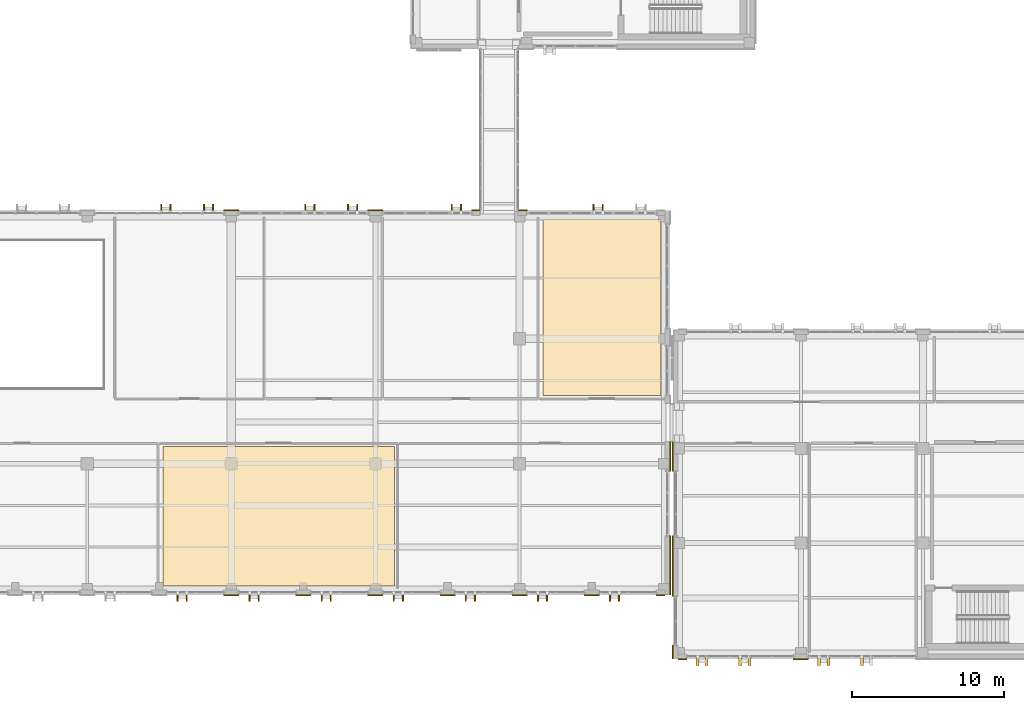
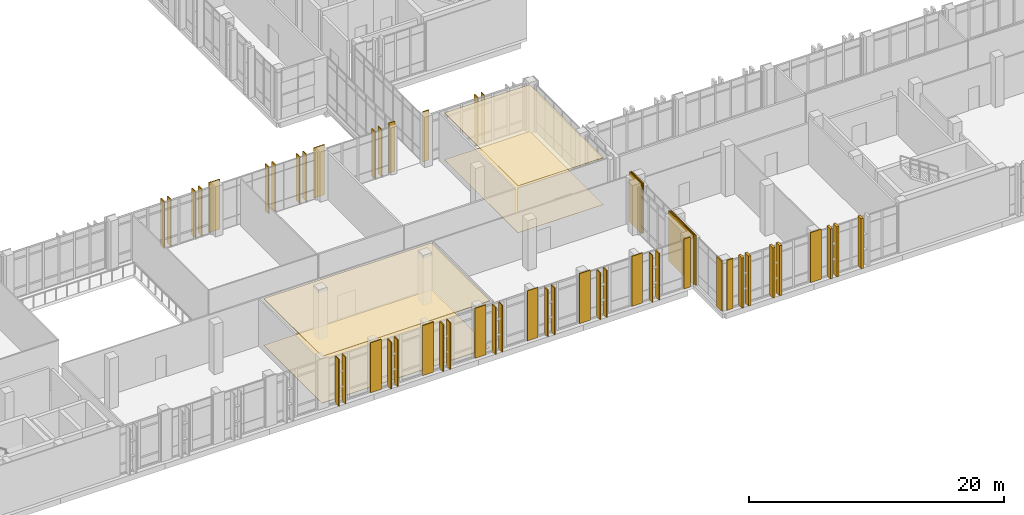
# One storey, part 174 of 189: 29 coverings, 26 shading devices.
"""IFC4 building model written with IfcOpenShell, lengths in metres."""

from ifc_helpers import new_model, si_unit, direction, frame, origin, origin_2d, place, context, subcontext, project, spatial, polyline, rectangle, outline, extrude, material, layer, layer_set, type_object, element, save


model = new_model("IFC4")

# Units and contexts
model_context = context("Model", 3, precision=1e-05, world=origin(), true_north=direction((0.0, 1.0)))
body_context = subcontext(model_context, "Body", "Model", "MODEL_VIEW")
ifc_project = project(units=[si_unit("LENGTHUNIT", "METRE"), si_unit("AREAUNIT", "SQUARE_METRE"), si_unit("VOLUMEUNIT", "CUBIC_METRE"), si_unit("PLANEANGLEUNIT", "RADIAN"), si_unit("MASSUNIT", "GRAM", prefix="KILO")], contexts=[model_context])

# Site, building, storey
site_placement = place(None, origin())
site = spatial("IfcSite", under=ifc_project, at=site_placement, CompositionType="ELEMENT")
building_placement = place(site_placement, origin())
building = spatial("IfcBuilding", under=site, at=building_placement, Name="Qalavern Law Courts", CompositionType="ELEMENT")
storey_placement = place(building_placement, frame((0.0, 0.0, 5.39990234375)))
storey = spatial("IfcBuildingStorey", under=building, at=storey_placement, Name="L01", CompositionType="ELEMENT", Elevation=5.39990234375)

# Coverings
ifc_material_1 = material(Name="Precast concrete C40/50", Category="concrete")
ifc_layer_1 = layer(ifc_material_1, 0.199951171875)
ifc_layer_set_1 = layer_set([ifc_layer_1], Name="Precast concrete C40/50")
covering_type_1 = type_object("IfcCoveringType", Name="ENV-BLD-1", PredefinedType="CLADDING", material=ifc_layer_set_1)
for number, where, z_axis, x_axis, name in (
    (1, (103.02001953125, 0.8525390625, 0.005126953125), (0.0, 0.0, 1.0), (0.0, -1.0, 0.0), "Absheron stone facade blade 1195"),
    (2, (103.6201171875, 0.8525390625, 0.005126953125), (0.0, 0.0, 1.0), (0.0, -1.0, 0.0), "Absheron stone facade blade 1196"),
    (3, (105.820068359375, 0.8525390625, 0.005126953125), (0.0, 0.0, 1.0), (0.0, -1.0, 0.0), "Absheron stone facade blade 1197"),
    (4, (106.419921875, 0.8525390625, 0.005126953125), (0.0, 0.0, 1.0), (0.0, -1.0, 0.0), "Absheron stone facade blade 1198"),
    (5, (111.0, 0.8525390625, 0.005126953125), (0.0, 0.0, 1.0), (0.0, -1.0, 0.0), "Absheron stone facade blade 1199"),
    (6, (111.60009765625, 0.8525390625, 0.005126953125), (0.0, 0.0, 1.0), (0.0, -1.0, 0.0), "Absheron stone facade blade 1200"),
    (7, (113.800048828125, 0.8525390625, 0.005126953125), (0.0, 0.0, 1.0), (0.0, -1.0, 0.0), "Absheron stone facade blade 1201"),
):
    element("IfcCovering", number, at=place(storey_placement, frame(where, z_axis=z_axis, x_axis=x_axis)), inside=storey, type_object=covering_type_1, Name=name, PredefinedType="CLADDING", context=body_context, shape_type="SweptSolid", body=[
        extrude(rectangle(XDim=0.5400390625, YDim=0.199951171875, at=origin_2d()), origin(), (0.0, 0.0, 1.0), 4.7900390625),
    ])
ifc_layer_2 = layer(ifc_material_1, 0.072021484375)
ifc_layer_set_2 = layer_set([ifc_layer_2], Name="Precast concrete C40/50")
covering_type_2 = type_object("IfcCoveringType", Name="ENV-CLD-2", PredefinedType="CLADDING", material=ifc_layer_set_2)
for number, where, z_axis, x_axis, name in (
    (8, (72.43701171875, 5.1669921875, 0.01025390625), (0.0, 0.0, 1.0), (1.0, 0.0, 0.0), "V2 Absheron limestone pier facing L01 south 6"),
    (9, (77.1640625, 5.1669921875, 0.01025390625), (0.0, 0.0, 1.0), (1.0, 0.0, 0.0), "V2 Absheron limestone pier facing L01 south 7"),
    (10, (81.891357421875, 5.1669921875, 0.01025390625), (0.0, 0.0, 1.0), (1.0, 0.0, 0.0), "V2 Absheron limestone pier facing L01 south 8"),
    (11, (86.618896484375, 5.1669921875, 0.01025390625), (0.0, 0.0, 1.0), (1.0, 0.0, 0.0), "V2 Absheron limestone pier facing L01 south 9"),
    (12, (91.345703125, 5.1669921875, 0.01025390625), (0.0, 0.0, 1.0), (1.0, 0.0, 0.0), "V2 Absheron limestone pier facing L01 south 10"),
    (13, (96.072998046875, 5.1669921875, 0.01025390625), (0.0, 0.0, 1.0), (1.0, 0.0, 0.0), "V2 Absheron limestone pier facing L01 south 11"),
):
    element("IfcCovering", number, at=place(storey_placement, frame(where, z_axis=z_axis, x_axis=x_axis)), inside=storey, type_object=covering_type_2, Name=name, PredefinedType="CLADDING", context=body_context, shape_type="SweptSolid", body=[
        extrude(rectangle(XDim=0.97998046875, YDim=0.072021484375, at=origin_2d()), origin(), (0.0, 0.0, 1.0), 4.780029296875),
    ])
covering_1_placement = place(storey_placement, frame((100.590087890625, 5.1669921875, 0.01025390625), z_axis=(0.0, 0.0, 1.0), x_axis=(1.0, 0.0, 0.0)))
element("IfcCovering", 14, at=covering_1_placement, inside=storey, type_object=covering_type_2, Name="V2 Absheron limestone pier facing L01 south 12", PredefinedType="CLADDING", context=body_context, shape_type="SweptSolid", body=[
    extrude(rectangle(XDim=0.56005859375, YDim=0.072021484375, at=origin_2d()), origin(), (0.0, 0.0, 1.0), 4.780029296875),
])
covering_2_placement = place(storey_placement, frame((101.23291015625, 7.14990234375, 0.01025390625), z_axis=(0.0, 0.0, 1.0), x_axis=(0.0, 1.0, 0.0)))
element("IfcCovering", 15, at=covering_2_placement, inside=storey, type_object=covering_type_2, Name="V2 Absheron limestone pier facing L01 east 1", PredefinedType="CLADDING", context=body_context, shape_type="SweptSolid", body=[
    extrude(rectangle(XDim=3.8798828125, YDim=0.072021484375, at=origin_2d()), origin(), (0.0, 0.0, 1.0), 4.780029296875),
])
covering_3_placement = place(storey_placement, frame((101.23291015625, 14.27490234375, 0.01025390625), z_axis=(0.0, 0.0, 1.0), x_axis=(0.0, 1.0, 0.0)))
element("IfcCovering", 16, at=covering_3_placement, inside=storey, type_object=covering_type_2, Name="V2 Absheron limestone pier facing L01 east 2", PredefinedType="CLADDING", context=body_context, shape_type="SweptSolid", body=[
    extrude(rectangle(XDim=1.929931640625, YDim=0.072021484375, at=origin_2d()), origin(), (0.0, 0.0, 1.0), 4.780029296875),
])
covering_4_placement = place(storey_placement, frame((91.5478515625, 30.43310546875, 0.01025390625), z_axis=(0.0, 0.0, 1.0), x_axis=(-1.0, 0.0, 0.0)))
element("IfcCovering", 17, at=covering_4_placement, inside=storey, type_object=covering_type_2, Name="V2 Absheron limestone pier facing L01 north 2", PredefinedType="CLADDING", context=body_context, shape_type="SweptSolid", body=[
    extrude(rectangle(XDim=0.57568359375, YDim=0.072021484375, at=origin_2d()), origin(), (0.0, 0.0, 1.0), 4.780029296875),
])
covering_5_placement = place(storey_placement, frame((88.47509765625, 30.43310546875, 0.01025390625), z_axis=(0.0, 0.0, 1.0), x_axis=(-1.0, 0.0, 0.0)))
element("IfcCovering", 18, at=covering_5_placement, inside=storey, type_object=covering_type_2, Name="V2 Absheron limestone pier facing L01 north 1", PredefinedType="CLADDING", context=body_context, shape_type="SweptSolid", body=[
    extrude(rectangle(XDim=0.530029296875, YDim=0.072021484375, at=origin_2d()), origin(), (0.0, 0.0, 1.0), 4.780029296875),
])
for number, where, z_axis, x_axis, name in (
    (19, (81.891357421875, 30.43310546875, 0.01025390625), (0.0, 0.0, 1.0), (-1.0, 0.0, 0.0), "V2 Absheron limestone pier facing L01 north 2"),
    (20, (72.43701171875, 30.43310546875, 0.01025390625), (0.0, 0.0, 1.0), (-1.0, 0.0, 0.0), "V2 Absheron limestone pier facing L01 north 3"),
):
    element("IfcCovering", number, at=place(storey_placement, frame(where, z_axis=z_axis, x_axis=x_axis)), inside=storey, type_object=covering_type_2, Name=name, PredefinedType="CLADDING", context=body_context, shape_type="SweptSolid", body=[
        extrude(rectangle(XDim=0.97998046875, YDim=0.072021484375, at=origin_2d()), origin(), (0.0, 0.0, 1.0), 4.780029296875),
    ])
covering_6_placement = place(storey_placement, frame((102.030029296875, 0.967041015625, 0.01025390625), z_axis=(0.0, 0.0, 1.0), x_axis=(1.0, 0.0, 0.0)))
element("IfcCovering", 21, at=covering_6_placement, inside=storey, type_object=covering_type_2, Name="V6 Absheron limestone pier facing L01 south 1", PredefinedType="CLADDING", context=body_context, shape_type="SweptSolid", body=[
    extrude(rectangle(XDim=0.56005859375, YDim=0.072021484375, at=origin_2d()), origin(), (0.0, 0.0, 1.0), 4.780029296875),
])
covering_7_placement = place(storey_placement, frame((109.800048828125, 0.967041015625, 0.01025390625), z_axis=(0.0, 0.0, 1.0), x_axis=(1.0, 0.0, 0.0)))
element("IfcCovering", 22, at=covering_7_placement, inside=storey, type_object=covering_type_2, Name="V6 Absheron limestone pier facing L01 south 2", PredefinedType="CLADDING", context=body_context, shape_type="SweptSolid", body=[
    extrude(rectangle(XDim=0.97998046875, YDim=0.072021484375, at=origin_2d()), origin(), (0.0, 0.0, 1.0), 4.780029296875),
])
covering_8_placement = place(storey_placement, frame((101.386962890625, 14.27490234375, 0.01025390625), z_axis=(0.0, 0.0, 1.0), x_axis=(0.0, -1.0, 0.0)))
element("IfcCovering", 23, at=covering_8_placement, inside=storey, type_object=covering_type_2, Name="V6 Absheron limestone pier facing L01 west 1", PredefinedType="CLADDING", context=body_context, shape_type="SweptSolid", body=[
    extrude(rectangle(XDim=1.929931640625, YDim=0.072021484375, at=origin_2d()), origin(), (0.0, 0.0, 1.0), 4.780029296875),
])
covering_9_placement = place(storey_placement, frame((101.386962890625, 7.10009765625, 0.01025390625), z_axis=(0.0, 0.0, 1.0), x_axis=(0.0, -1.0, 0.0)))
element("IfcCovering", 24, at=covering_9_placement, inside=storey, type_object=covering_type_2, Name="V6 Absheron limestone pier facing L01 west 2", PredefinedType="CLADDING", context=body_context, shape_type="SweptSolid", body=[
    extrude(rectangle(XDim=3.97998046875, YDim=0.072021484375, at=origin_2d()), origin(), (0.0, 0.0, 1.0), 4.780029296875),
])
covering_10_placement = place(storey_placement, frame((101.386962890625, 1.449951171875, 0.01025390625), z_axis=(0.0, 0.0, 1.0), x_axis=(0.0, -1.0, 0.0)))
element("IfcCovering", 25, at=covering_10_placement, inside=storey, type_object=covering_type_2, Name="V6 Absheron limestone pier facing L01 west 3", PredefinedType="CLADDING", context=body_context, shape_type="SweptSolid", body=[
    extrude(rectangle(XDim=0.8798828125, YDim=0.072021484375, at=origin_2d()), origin(), (0.0, 0.0, 1.0), 4.780029296875),
])

# Shading devices
shading_device_type = type_object("IfcShadingDeviceType", Name="ENV-FIN-1", PredefinedType="USERDEFINED", material=ifc_material_1)
for number, where, z_axis, x_axis, name in (
    (26, (68.909912109375, 5.052490234375, 0.01025390625), (0.0, 0.0, 1.0), (0.0, -1.0, 0.0), "Hall solar shading fin 0009"),
    (27, (69.510009765625, 5.052490234375, 0.01025390625), (0.0, 0.0, 1.0), (0.0, -1.0, 0.0), "Hall solar shading fin 0010"),
    (28, (73.63720703125, 5.052490234375, 0.01025390625), (0.0, 0.0, 1.0), (0.0, -1.0, 0.0), "Hall solar shading fin 0011"),
    (29, (74.237060546875, 5.052490234375, 0.01025390625), (0.0, 0.0, 1.0), (0.0, -1.0, 0.0), "Hall solar shading fin 0012"),
    (30, (78.364013671875, 5.052490234375, 0.01025390625), (0.0, 0.0, 1.0), (0.0, -1.0, 0.0), "Hall solar shading fin 0013"),
    (31, (78.964111328125, 5.052490234375, 0.01025390625), (0.0, 0.0, 1.0), (0.0, -1.0, 0.0), "Hall solar shading fin 0014"),
    (32, (83.09130859375, 5.052490234375, 0.01025390625), (0.0, 0.0, 1.0), (0.0, -1.0, 0.0), "Hall solar shading fin 0015"),
    (33, (83.69140625, 5.052490234375, 0.01025390625), (0.0, 0.0, 1.0), (0.0, -1.0, 0.0), "Hall solar shading fin 0016"),
    (34, (87.819091796875, 5.052490234375, 0.01025390625), (0.0, 0.0, 1.0), (0.0, -1.0, 0.0), "Hall solar shading fin 0017"),
    (35, (88.4189453125, 5.052490234375, 0.01025390625), (0.0, 0.0, 1.0), (0.0, -1.0, 0.0), "Hall solar shading fin 0018"),
    (36, (92.545654296875, 5.052490234375, 0.01025390625), (0.0, 0.0, 1.0), (0.0, -1.0, 0.0), "Hall solar shading fin 0019"),
    (37, (93.145751953125, 5.052490234375, 0.01025390625), (0.0, 0.0, 1.0), (0.0, -1.0, 0.0), "Hall solar shading fin 0020"),
    (38, (97.27294921875, 5.052490234375, 0.01025390625), (0.0, 0.0, 1.0), (0.0, -1.0, 0.0), "Hall solar shading fin 0021"),
    (39, (97.873046875, 5.052490234375, 0.01025390625), (0.0, 0.0, 1.0), (0.0, -1.0, 0.0), "Hall solar shading fin 0022"),
    (40, (96.800048828125, 30.547607421875, 0.01025390625), (0.0, 0.0, 1.0), (0.0, 1.0, 0.0), "Hall solar shading fin 0025"),
    (41, (96.199951171875, 30.547607421875, 0.01025390625), (0.0, 0.0, 1.0), (0.0, 1.0, 0.0), "Hall solar shading fin 0026"),
    (42, (87.5, 30.547607421875, 0.01025390625), (0.0, 0.0, 1.0), (0.0, 1.0, 0.0), "Hall solar shading fin 0027"),
    (43, (86.89990234375, 30.547607421875, 0.01025390625), (0.0, 0.0, 1.0), (0.0, 1.0, 0.0), "Hall solar shading fin 0028"),
    (44, (80.69140625, 30.547607421875, 0.01025390625), (0.0, 0.0, 1.0), (0.0, 1.0, 0.0), "Hall solar shading fin 0029"),
    (45, (80.09130859375, 30.547607421875, 0.01025390625), (0.0, 0.0, 1.0), (0.0, 1.0, 0.0), "Hall solar shading fin 0030"),
    (46, (77.891357421875, 30.547607421875, 0.01025390625), (0.0, 0.0, 1.0), (0.0, 1.0, 0.0), "Hall solar shading fin 0031"),
    (47, (77.29150390625, 30.547607421875, 0.01025390625), (0.0, 0.0, 1.0), (0.0, 1.0, 0.0), "Hall solar shading fin 0032"),
    (48, (71.237060546875, 30.547607421875, 0.01025390625), (0.0, 0.0, 1.0), (0.0, 1.0, 0.0), "Hall solar shading fin 0033"),
    (49, (70.63720703125, 30.547607421875, 0.01025390625), (0.0, 0.0, 1.0), (0.0, 1.0, 0.0), "Hall solar shading fin 0034"),
    (50, (68.43701171875, 30.547607421875, 0.01025390625), (0.0, 0.0, 1.0), (0.0, 1.0, 0.0), "Hall solar shading fin 0035"),
    (51, (67.837158203125, 30.547607421875, 0.01025390625), (0.0, 0.0, 1.0), (0.0, 1.0, 0.0), "Hall solar shading fin 0036"),
):
    element("IfcShadingDevice", number, at=place(storey_placement, frame(where, z_axis=z_axis, x_axis=x_axis)), inside=storey, type_object=shading_device_type, Name=name, ObjectType="FIN", PredefinedType="USERDEFINED", context=body_context, shape_type="SweptSolid", body=[
        extrude(rectangle(XDim=0.5400390625, YDim=0.0849609375, at=origin_2d()), origin(), (0.0, 0.0, 1.0), 4.489990234375),
    ])

# Coverings
ifc_material_2 = material(Name="Perforated gypsum and mineral-wool acoustic ceiling")
ifc_layer_3 = layer(ifc_material_2, 0.0380859375)
ifc_layer_set_3 = layer_set([ifc_layer_3], Name="Perforated gypsum and mineral-wool acoustic ceiling")
covering_type_3 = type_object("IfcCoveringType", Name="INT-CEIL-1", PredefinedType="CEILING", material=ifc_layer_set_3)
covering_11_placement = place(storey_placement, frame((0.0, 0.0, 4.47216796875)))
element("IfcCovering", 52, at=covering_11_placement, inside=storey, type_object=covering_type_3, Name="Administrative Courtroom acoustic ceiling L01", PredefinedType="CEILING", context=body_context, shape_type="SweptSolid", body=[
    extrude(outline(polyline([(92.8779296875, 18.27001953125), (100.610107421875, 18.27001953125), (100.610107421875, 29.81005859375), (92.8779296875, 29.81005859375), (92.8779296875, 18.27001953125)])), origin(), (0.0, 0.0, 1.0), 0.037841796875),
])
ifc_material_3 = material(Name="Slatted oak acoustic timber baffle ceiling", Category="wood")
ifc_layer_4 = layer(ifc_material_3, 0.055908203125)
ifc_layer_set_4 = layer_set([ifc_layer_4], Name="Slatted oak acoustic timber baffle ceiling")
covering_type_4 = type_object("IfcCoveringType", Name="INT-CEIL-3", PredefinedType="CEILING", material=ifc_layer_set_4)
covering_12_placement = place(storey_placement, frame((0.0, 0.0, 4.4541015625)))
element("IfcCovering", 53, at=covering_12_placement, inside=storey, type_object=covering_type_4, Name="Administrative Courtroom acoustic ceiling L01", PredefinedType="CEILING", context=body_context, shape_type="SweptSolid", body=[
    extrude(outline(polyline([(67.947998046875, 5.7900390625), (83.1240234375, 5.7900390625), (83.1240234375, 14.929931640625), (67.947998046875, 14.929931640625), (67.947998046875, 5.7900390625)])), origin(), (0.0, 0.0, 1.0), 0.055908203125),
])
ifc_material_4 = material(Name="Acoustic engineered oak courtroom flooring")
ifc_layer_5 = layer(ifc_material_4, 0.02197265625)
ifc_layer_set_5 = layer_set([ifc_layer_5], Name="Acoustic engineered oak courtroom flooring")
covering_type_5 = type_object("IfcCoveringType", Name="INT-FLR-1", PredefinedType="FLOORING", material=ifc_layer_set_5)
covering_13_placement = place(storey_placement, origin())
element("IfcCovering", 54, at=covering_13_placement, inside=storey, type_object=covering_type_5, Name="Administrative Courtroom finish flooring L01", PredefinedType="FLOORING", context=body_context, shape_type="SweptSolid", body=[
    extrude(outline(polyline([(92.8779296875, 18.27001953125), (100.610107421875, 18.27001953125), (100.610107421875, 29.81005859375), (92.8779296875, 29.81005859375), (92.8779296875, 18.27001953125)])), origin(), (0.0, 0.0, 1.0), 0.022216796875),
])
ifc_layer_6 = layer(ifc_material_4, 0.0380859375)
ifc_layer_set_6 = layer_set([ifc_layer_6], Name="Acoustic engineered oak courtroom flooring")
covering_type_6 = type_object("IfcCoveringType", Name="INT-FLR-3", PredefinedType="FLOORING", material=ifc_layer_set_6)
covering_14_placement = place(storey_placement, origin())
element("IfcCovering", 55, at=covering_14_placement, inside=storey, type_object=covering_type_6, Name="Administrative Courtroom finish flooring L01", PredefinedType="FLOORING", context=body_context, shape_type="SweptSolid", body=[
    extrude(outline(polyline([(67.947998046875, 5.7900390625), (83.1240234375, 5.7900390625), (83.1240234375, 14.929931640625), (67.947998046875, 14.929931640625), (67.947998046875, 5.7900390625)])), origin(), (0.0, 0.0, 1.0), 0.0380859375),
])

save(model, "model.ifc")
